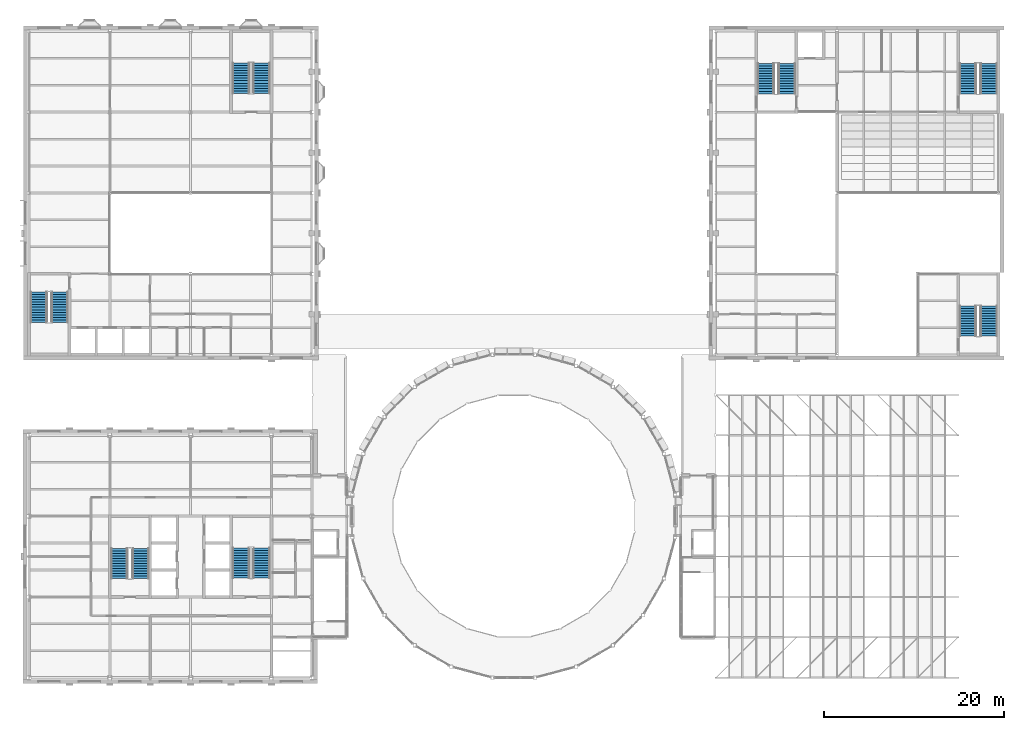
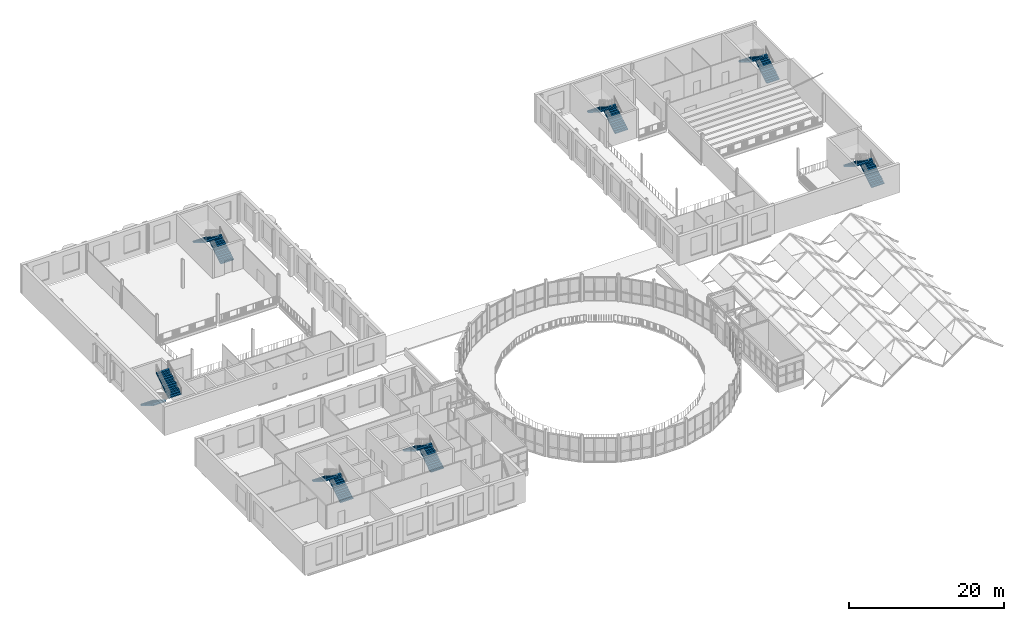
# One storey, part 48 of 74: 14 stair flights, 7 elements without a shape of their own.
"""IFC4 building model written with IfcOpenShell, lengths in metres."""

from ifc_helpers import new_model, si_unit, direction, frame, origin, place, context, subcontext, project, spatial, polyline, outline, extrude, material, layer, layer_set, type_object, element, aggregate, save


model = new_model("IFC4")

# Units and contexts
model_context = context("Model", 3, precision=1e-05, world=origin(), true_north=direction((0.0, 1.0)))
body_context = subcontext(model_context, "Body", "Model", "MODEL_VIEW")
ifc_project = project(units=[si_unit("LENGTHUNIT", "METRE"), si_unit("AREAUNIT", "SQUARE_METRE"), si_unit("VOLUMEUNIT", "CUBIC_METRE"), si_unit("PLANEANGLEUNIT", "RADIAN"), si_unit("MASSUNIT", "GRAM", prefix="KILO")], contexts=[model_context])

# Site, building, storey
site_placement = place(None, origin())
site = spatial("IfcSite", under=ifc_project, at=site_placement, CompositionType="ELEMENT")
building_placement = place(site_placement, origin())
building = spatial("IfcBuilding", under=site, at=building_placement, Name="Hortulan Conservatory and Botanical Research Centre", CompositionType="ELEMENT")
storey_placement = place(building_placement, frame((0.0, 0.0, 6.0)))
storey = spatial("IfcBuildingStorey", under=building, at=storey_placement, Name="L01", CompositionType="ELEMENT", Elevation=6.0)

# Stair, stair flights
ifc_material = material(Name="Concrete N40 (40 MPa, AS 3600)", Category="concrete")
stair_type_1 = type_object("IfcStairType", Name="Concrete Escape Stair 1900", PredefinedType="HALF_TURN_STAIR", material=ifc_material)
stair_1_placement = place(storey_placement, origin())
stair_1 = element("IfcStair", 1, at=stair_1_placement, inside=storey, type_object=stair_type_1, Name="Stair T1 L01", PredefinedType="HALF_TURN_STAIR")
ifc_layer_1 = layer(ifc_material, 0.14990234375)
ifc_layer_set_1 = layer_set([ifc_layer_1], Name="Stair Flight 1900 wide, riser 173")
stair_flight_type_1 = type_object("IfcStairFlightType", Name="Stair Flight 1900 wide, riser 173", PredefinedType="STRAIGHT", material=ifc_layer_set_1)
stair_flight_1_placement = place(storey_placement, frame((12.39990234375, 11.050048828125, 0.0), z_axis=(0.0, 0.0, 1.0), x_axis=(0.0, 1.0, 0.0)))
stair_flight_1 = element("IfcStairFlight", 2, at=stair_flight_1_placement, type_object=stair_flight_type_1, Name="Stair T1 L01 flight 1", NumberOfRisers=13, NumberOfTreads=12, PredefinedType="STRAIGHT", RiserHeight=0.173076923, TreadLength=0.28, context=body_context, shape_type="SweptSolid", body=[
    extrude(outline(polyline([(0.0, 0.0), (0.0, 0.173095703125), (0.280029296875, 0.173095703125), (0.280029296875, 0.34619140625), (0.56005859375, 0.34619140625), (0.56005859375, 0.519287109375), (0.840087890625, 0.519287109375), (0.840087890625, 0.6923828125), (1.1201171875, 0.6923828125), (1.1201171875, 0.865478515625), (1.39990234375, 0.865478515625), (1.39990234375, 1.03857421875), (1.679931640625, 1.03857421875), (1.679931640625, 1.21142578125), (1.9599609375, 1.21142578125), (1.9599609375, 1.384521484375), (2.239990234375, 1.384521484375), (2.239990234375, 1.5576171875), (2.52001953125, 1.5576171875), (2.52001953125, 1.730712890625), (2.800048828125, 1.730712890625), (2.800048828125, 1.90380859375), (3.080078125, 1.90380859375), (3.080078125, 2.076904296875), (3.360107421875, 2.076904296875), (3.360107421875, 2.25), (3.360107421875, 1.900634765625), (0.28515625, 0.0), (0.0, 0.0)])), frame((0.0, 0.949951171875, 0.0), z_axis=(0.0, -1.0, 0.0), x_axis=(1.0, 0.0, 0.0)), (0.0, 0.0, 1.0), 1.89990234375),
])
stair_flight_2_placement = place(storey_placement, frame((10.10009765625, 14.409912109375, 2.25), z_axis=(0.0, 0.0, 1.0), x_axis=(0.0, -1.0, 0.0)))
stair_flight_2 = element("IfcStairFlight", 3, at=stair_flight_2_placement, type_object=stair_flight_type_1, Name="Stair T1 L01 flight 2", NumberOfRisers=13, NumberOfTreads=12, PredefinedType="STRAIGHT", RiserHeight=0.173076923, TreadLength=0.28, context=body_context, shape_type="SweptSolid", body=[
    extrude(outline(polyline([(0.0, 0.0), (0.0, 0.173095703125), (0.280029296875, 0.173095703125), (0.280029296875, 0.34619140625), (0.56005859375, 0.34619140625), (0.56005859375, 0.519287109375), (0.840087890625, 0.519287109375), (0.840087890625, 0.6923828125), (1.1201171875, 0.6923828125), (1.1201171875, 0.865478515625), (1.39990234375, 0.865478515625), (1.39990234375, 1.03857421875), (1.679931640625, 1.03857421875), (1.679931640625, 1.21142578125), (1.9599609375, 1.21142578125), (1.9599609375, 1.384521484375), (2.239990234375, 1.384521484375), (2.239990234375, 1.5576171875), (2.52001953125, 1.5576171875), (2.52001953125, 1.730712890625), (2.800048828125, 1.730712890625), (2.800048828125, 1.90380859375), (3.080078125, 1.90380859375), (3.080078125, 2.076904296875), (3.360107421875, 2.076904296875), (3.360107421875, 2.25), (3.360107421875, 1.900634765625), (0.28515625, 0.0), (0.0, 0.0)])), frame((0.0, 0.949951171875, 0.0), z_axis=(0.0, -1.0, 0.0), x_axis=(1.0, 0.0, 0.0)), (0.0, 0.0, 1.0), 1.89990234375),
])
aggregate(stair_1, [stair_flight_1, stair_flight_2])

stair_2_placement = place(storey_placement, origin())
stair_2 = element("IfcStair", 4, at=stair_2_placement, inside=storey, type_object=stair_type_1, Name="Stair V1 L01", PredefinedType="HALF_TURN_STAIR")
stair_flight_3_placement = place(storey_placement, frame((1.10009765625, 42.949951171875, 0.0), z_axis=(0.0, 0.0, 1.0), x_axis=(0.0, -1.0, 0.0)))
stair_flight_3 = element("IfcStairFlight", 5, at=stair_flight_3_placement, type_object=stair_flight_type_1, Name="Stair V1 L01 flight 1", NumberOfRisers=13, NumberOfTreads=12, PredefinedType="STRAIGHT", RiserHeight=0.173076923, TreadLength=0.28, context=body_context, shape_type="SweptSolid", body=[
    extrude(outline(polyline([(0.0, 0.0), (0.0, 0.173095703125), (0.280029296875, 0.173095703125), (0.280029296875, 0.34619140625), (0.56005859375, 0.34619140625), (0.56005859375, 0.519287109375), (0.840087890625, 0.519287109375), (0.840087890625, 0.6923828125), (1.1201171875, 0.6923828125), (1.1201171875, 0.865478515625), (1.39990234375, 0.865478515625), (1.39990234375, 1.03857421875), (1.679931640625, 1.03857421875), (1.679931640625, 1.21142578125), (1.9599609375, 1.21142578125), (1.9599609375, 1.384521484375), (2.239990234375, 1.384521484375), (2.239990234375, 1.5576171875), (2.52001953125, 1.5576171875), (2.52001953125, 1.730712890625), (2.800048828125, 1.730712890625), (2.800048828125, 1.90380859375), (3.080078125, 1.90380859375), (3.080078125, 2.076904296875), (3.360107421875, 2.076904296875), (3.360107421875, 2.25), (3.360107421875, 1.900634765625), (0.28515625, 0.0), (0.0, 0.0)])), frame((0.0, 0.949951171875, 0.0), z_axis=(0.0, -1.0, 0.0), x_axis=(1.0, 0.0, 0.0)), (0.0, 0.0, 1.0), 1.89990234375),
])
stair_flight_4_placement = place(storey_placement, frame((3.39990234375, 39.590087890625, 2.25), z_axis=(0.0, 0.0, 1.0), x_axis=(0.0, 1.0, 0.0)))
stair_flight_4 = element("IfcStairFlight", 6, at=stair_flight_4_placement, type_object=stair_flight_type_1, Name="Stair V1 L01 flight 2", NumberOfRisers=13, NumberOfTreads=12, PredefinedType="STRAIGHT", RiserHeight=0.173076923, TreadLength=0.28, context=body_context, shape_type="SweptSolid", body=[
    extrude(outline(polyline([(0.0, 0.0), (0.0, 0.173095703125), (0.280029296875, 0.173095703125), (0.280029296875, 0.34619140625), (0.56005859375, 0.34619140625), (0.56005859375, 0.519287109375), (0.840087890625, 0.519287109375), (0.840087890625, 0.6923828125), (1.1201171875, 0.6923828125), (1.1201171875, 0.865478515625), (1.39990234375, 0.865478515625), (1.39990234375, 1.03857421875), (1.679931640625, 1.03857421875), (1.679931640625, 1.21142578125), (1.9599609375, 1.21142578125), (1.9599609375, 1.384521484375), (2.239990234375, 1.384521484375), (2.239990234375, 1.5576171875), (2.52001953125, 1.5576171875), (2.52001953125, 1.730712890625), (2.800048828125, 1.730712890625), (2.800048828125, 1.90380859375), (3.080078125, 1.90380859375), (3.080078125, 2.076904296875), (3.360107421875, 2.076904296875), (3.360107421875, 2.25), (3.360107421875, 1.900634765625), (0.28515625, 0.0), (0.0, 0.0)])), frame((0.0, 0.949951171875, 0.0), z_axis=(0.0, -1.0, 0.0), x_axis=(1.0, 0.0, 0.0)), (0.0, 0.0, 1.0), 1.89990234375),
])
aggregate(stair_2, [stair_flight_3, stair_flight_4])

stair_3_placement = place(storey_placement, origin())
stair_3 = element("IfcStair", 7, at=stair_3_placement, inside=storey, type_object=stair_type_1, Name="Stair A1 L01", PredefinedType="HALF_TURN_STAIR")
stair_flight_5_placement = place(storey_placement, frame((84.39990234375, 65.050048828125, 0.0), z_axis=(0.0, 0.0, 1.0), x_axis=(0.0, 1.0, 0.0)))
stair_flight_5 = element("IfcStairFlight", 8, at=stair_flight_5_placement, type_object=stair_flight_type_1, Name="Stair A1 L01 flight 1", NumberOfRisers=13, NumberOfTreads=12, PredefinedType="STRAIGHT", RiserHeight=0.173076923, TreadLength=0.28, context=body_context, shape_type="SweptSolid", body=[
    extrude(outline(polyline([(0.0, 0.0), (0.0, 0.173095703125), (0.280029296875, 0.173095703125), (0.280029296875, 0.34619140625), (0.56005859375, 0.34619140625), (0.56005859375, 0.519287109375), (0.840087890625, 0.519287109375), (0.840087890625, 0.6923828125), (1.1201171875, 0.6923828125), (1.1201171875, 0.865478515625), (1.39990234375, 0.865478515625), (1.39990234375, 1.03857421875), (1.679931640625, 1.03857421875), (1.679931640625, 1.21142578125), (1.9599609375, 1.21142578125), (1.9599609375, 1.384521484375), (2.239990234375, 1.384521484375), (2.239990234375, 1.5576171875), (2.52001953125, 1.5576171875), (2.52001953125, 1.730712890625), (2.800048828125, 1.730712890625), (2.800048828125, 1.90380859375), (3.080078125, 1.90380859375), (3.080078125, 2.076904296875), (3.360107421875, 2.076904296875), (3.360107421875, 2.25), (3.360107421875, 1.900634765625), (0.28515625, 0.0), (0.0, 0.0)])), frame((0.0, 0.949951171875, 0.0), z_axis=(0.0, -1.0, 0.0), x_axis=(1.0, 0.0, 0.0)), (0.0, 0.0, 1.0), 1.89990234375),
])
stair_flight_6_placement = place(storey_placement, frame((82.10009765625, 68.409912109375, 2.25), z_axis=(0.0, 0.0, 1.0), x_axis=(0.0, -1.0, 0.0)))
stair_flight_6 = element("IfcStairFlight", 9, at=stair_flight_6_placement, type_object=stair_flight_type_1, Name="Stair A1 L01 flight 2", NumberOfRisers=13, NumberOfTreads=12, PredefinedType="STRAIGHT", RiserHeight=0.173076923, TreadLength=0.28, context=body_context, shape_type="SweptSolid", body=[
    extrude(outline(polyline([(0.0, 0.0), (0.0, 0.173095703125), (0.280029296875, 0.173095703125), (0.280029296875, 0.34619140625), (0.56005859375, 0.34619140625), (0.56005859375, 0.519287109375), (0.840087890625, 0.519287109375), (0.840087890625, 0.6923828125), (1.1201171875, 0.6923828125), (1.1201171875, 0.865478515625), (1.39990234375, 0.865478515625), (1.39990234375, 1.03857421875), (1.679931640625, 1.03857421875), (1.679931640625, 1.21142578125), (1.9599609375, 1.21142578125), (1.9599609375, 1.384521484375), (2.239990234375, 1.384521484375), (2.239990234375, 1.5576171875), (2.52001953125, 1.5576171875), (2.52001953125, 1.730712890625), (2.800048828125, 1.730712890625), (2.800048828125, 1.90380859375), (3.080078125, 1.90380859375), (3.080078125, 2.076904296875), (3.360107421875, 2.076904296875), (3.360107421875, 2.25), (3.360107421875, 1.900634765625), (0.28515625, 0.0), (0.0, 0.0)])), frame((0.0, 0.949951171875, 0.0), z_axis=(0.0, -1.0, 0.0), x_axis=(1.0, 0.0, 0.0)), (0.0, 0.0, 1.0), 1.89990234375),
])
aggregate(stair_3, [stair_flight_5, stair_flight_6])

stair_4_placement = place(storey_placement, origin())
stair_4 = element("IfcStair", 10, at=stair_4_placement, inside=storey, type_object=stair_type_1, Name="Stair A2 L01", PredefinedType="HALF_TURN_STAIR")
stair_flight_7_placement = place(storey_placement, frame((106.89990234375, 38.050048828125, 0.0), z_axis=(0.0, 0.0, 1.0), x_axis=(0.0, 1.0, 0.0)))
stair_flight_7 = element("IfcStairFlight", 11, at=stair_flight_7_placement, type_object=stair_flight_type_1, Name="Stair A2 L01 flight 1", NumberOfRisers=13, NumberOfTreads=12, PredefinedType="STRAIGHT", RiserHeight=0.173076923, TreadLength=0.28, context=body_context, shape_type="SweptSolid", body=[
    extrude(outline(polyline([(0.0, 0.0), (0.0, 0.173095703125), (0.280029296875, 0.173095703125), (0.280029296875, 0.34619140625), (0.56005859375, 0.34619140625), (0.56005859375, 0.519287109375), (0.840087890625, 0.519287109375), (0.840087890625, 0.6923828125), (1.1201171875, 0.6923828125), (1.1201171875, 0.865478515625), (1.39990234375, 0.865478515625), (1.39990234375, 1.03857421875), (1.679931640625, 1.03857421875), (1.679931640625, 1.21142578125), (1.9599609375, 1.21142578125), (1.9599609375, 1.384521484375), (2.239990234375, 1.384521484375), (2.239990234375, 1.5576171875), (2.52001953125, 1.5576171875), (2.52001953125, 1.730712890625), (2.800048828125, 1.730712890625), (2.800048828125, 1.90380859375), (3.080078125, 1.90380859375), (3.080078125, 2.076904296875), (3.360107421875, 2.076904296875), (3.360107421875, 2.25), (3.360107421875, 1.900634765625), (0.28515625, 0.0), (0.0, 0.0)])), frame((0.0, 0.949951171875, 0.0), z_axis=(0.0, -1.0, 0.0), x_axis=(1.0, 0.0, 0.0)), (0.0, 0.0, 1.0), 1.89990234375),
])
stair_flight_8_placement = place(storey_placement, frame((104.60009765625, 41.409912109375, 2.25), z_axis=(0.0, 0.0, 1.0), x_axis=(0.0, -1.0, 0.0)))
stair_flight_8 = element("IfcStairFlight", 12, at=stair_flight_8_placement, type_object=stair_flight_type_1, Name="Stair A2 L01 flight 2", NumberOfRisers=13, NumberOfTreads=12, PredefinedType="STRAIGHT", RiserHeight=0.173076923, TreadLength=0.28, context=body_context, shape_type="SweptSolid", body=[
    extrude(outline(polyline([(0.0, 0.0), (0.0, 0.173095703125), (0.280029296875, 0.173095703125), (0.280029296875, 0.34619140625), (0.56005859375, 0.34619140625), (0.56005859375, 0.519287109375), (0.840087890625, 0.519287109375), (0.840087890625, 0.6923828125), (1.1201171875, 0.6923828125), (1.1201171875, 0.865478515625), (1.39990234375, 0.865478515625), (1.39990234375, 1.03857421875), (1.679931640625, 1.03857421875), (1.679931640625, 1.21142578125), (1.9599609375, 1.21142578125), (1.9599609375, 1.384521484375), (2.239990234375, 1.384521484375), (2.239990234375, 1.5576171875), (2.52001953125, 1.5576171875), (2.52001953125, 1.730712890625), (2.800048828125, 1.730712890625), (2.800048828125, 1.90380859375), (3.080078125, 1.90380859375), (3.080078125, 2.076904296875), (3.360107421875, 2.076904296875), (3.360107421875, 2.25), (3.360107421875, 1.900634765625), (0.28515625, 0.0), (0.0, 0.0)])), frame((0.0, 0.949951171875, 0.0), z_axis=(0.0, -1.0, 0.0), x_axis=(1.0, 0.0, 0.0)), (0.0, 0.0, 1.0), 1.89990234375),
])
aggregate(stair_4, [stair_flight_7, stair_flight_8])

stair_5_placement = place(storey_placement, origin())
stair_5 = element("IfcStair", 13, at=stair_5_placement, inside=storey, type_object=stair_type_1, Name="Stair A3 L01", PredefinedType="HALF_TURN_STAIR")
stair_flight_9_placement = place(storey_placement, frame((106.89990234375, 65.050048828125, 0.0), z_axis=(0.0, 0.0, 1.0), x_axis=(0.0, 1.0, 0.0)))
stair_flight_9 = element("IfcStairFlight", 14, at=stair_flight_9_placement, type_object=stair_flight_type_1, Name="Stair A3 L01 flight 1", NumberOfRisers=13, NumberOfTreads=12, PredefinedType="STRAIGHT", RiserHeight=0.173076923, TreadLength=0.28, context=body_context, shape_type="SweptSolid", body=[
    extrude(outline(polyline([(0.0, 0.0), (0.0, 0.173095703125), (0.280029296875, 0.173095703125), (0.280029296875, 0.34619140625), (0.56005859375, 0.34619140625), (0.56005859375, 0.519287109375), (0.840087890625, 0.519287109375), (0.840087890625, 0.6923828125), (1.1201171875, 0.6923828125), (1.1201171875, 0.865478515625), (1.39990234375, 0.865478515625), (1.39990234375, 1.03857421875), (1.679931640625, 1.03857421875), (1.679931640625, 1.21142578125), (1.9599609375, 1.21142578125), (1.9599609375, 1.384521484375), (2.239990234375, 1.384521484375), (2.239990234375, 1.5576171875), (2.52001953125, 1.5576171875), (2.52001953125, 1.730712890625), (2.800048828125, 1.730712890625), (2.800048828125, 1.90380859375), (3.080078125, 1.90380859375), (3.080078125, 2.076904296875), (3.360107421875, 2.076904296875), (3.360107421875, 2.25), (3.360107421875, 1.900634765625), (0.28515625, 0.0), (0.0, 0.0)])), frame((0.0, 0.949951171875, 0.0), z_axis=(0.0, -1.0, 0.0), x_axis=(1.0, 0.0, 0.0)), (0.0, 0.0, 1.0), 1.89990234375),
])
stair_flight_10_placement = place(storey_placement, frame((104.60009765625, 68.409912109375, 2.25), z_axis=(0.0, 0.0, 1.0), x_axis=(0.0, -1.0, 0.0)))
stair_flight_10 = element("IfcStairFlight", 15, at=stair_flight_10_placement, type_object=stair_flight_type_1, Name="Stair A3 L01 flight 2", NumberOfRisers=13, NumberOfTreads=12, PredefinedType="STRAIGHT", RiserHeight=0.173076923, TreadLength=0.28, context=body_context, shape_type="SweptSolid", body=[
    extrude(outline(polyline([(0.0, 0.0), (0.0, 0.173095703125), (0.280029296875, 0.173095703125), (0.280029296875, 0.34619140625), (0.56005859375, 0.34619140625), (0.56005859375, 0.519287109375), (0.840087890625, 0.519287109375), (0.840087890625, 0.6923828125), (1.1201171875, 0.6923828125), (1.1201171875, 0.865478515625), (1.39990234375, 0.865478515625), (1.39990234375, 1.03857421875), (1.679931640625, 1.03857421875), (1.679931640625, 1.21142578125), (1.9599609375, 1.21142578125), (1.9599609375, 1.384521484375), (2.239990234375, 1.384521484375), (2.239990234375, 1.5576171875), (2.52001953125, 1.5576171875), (2.52001953125, 1.730712890625), (2.800048828125, 1.730712890625), (2.800048828125, 1.90380859375), (3.080078125, 1.90380859375), (3.080078125, 2.076904296875), (3.360107421875, 2.076904296875), (3.360107421875, 2.25), (3.360107421875, 1.900634765625), (0.28515625, 0.0), (0.0, 0.0)])), frame((0.0, 0.949951171875, 0.0), z_axis=(0.0, -1.0, 0.0), x_axis=(1.0, 0.0, 0.0)), (0.0, 0.0, 1.0), 1.89990234375),
])
aggregate(stair_5, [stair_flight_9, stair_flight_10])

stair_type_2 = type_object("IfcStairType", Name="Concrete Escape Stair 1950", PredefinedType="HALF_TURN_STAIR", material=ifc_material)
stair_6_placement = place(storey_placement, origin())
stair_6 = element("IfcStair", 16, at=stair_6_placement, inside=storey, type_object=stair_type_2, Name="Stair T2 L01", PredefinedType="HALF_TURN_STAIR")
ifc_layer_2 = layer(ifc_material, 0.14990234375)
ifc_layer_set_2 = layer_set([ifc_layer_2], Name="Stair Flight 1950 wide, riser 173")
stair_flight_type_2 = type_object("IfcStairFlightType", Name="Stair Flight 1950 wide, riser 173", PredefinedType="STRAIGHT", material=ifc_layer_set_2)
stair_flight_11_placement = place(storey_placement, frame((25.875, 11.10009765625, 0.0), z_axis=(0.0, 0.0, 1.0), x_axis=(0.0, 1.0, 0.0)))
stair_flight_11 = element("IfcStairFlight", 17, at=stair_flight_11_placement, type_object=stair_flight_type_2, Name="Stair T2 L01 flight 1", NumberOfRisers=13, NumberOfTreads=12, PredefinedType="STRAIGHT", RiserHeight=0.173076923, TreadLength=0.28, context=body_context, shape_type="SweptSolid", body=[
    extrude(outline(polyline([(0.0, 0.0), (0.0, 0.173095703125), (0.280029296875, 0.173095703125), (0.280029296875, 0.34619140625), (0.56005859375, 0.34619140625), (0.56005859375, 0.519287109375), (0.840087890625, 0.519287109375), (0.840087890625, 0.6923828125), (1.1201171875, 0.6923828125), (1.1201171875, 0.865478515625), (1.39990234375, 0.865478515625), (1.39990234375, 1.03857421875), (1.679931640625, 1.03857421875), (1.679931640625, 1.21142578125), (1.9599609375, 1.21142578125), (1.9599609375, 1.384521484375), (2.239990234375, 1.384521484375), (2.239990234375, 1.5576171875), (2.52001953125, 1.5576171875), (2.52001953125, 1.730712890625), (2.800048828125, 1.730712890625), (2.800048828125, 1.90380859375), (3.080078125, 1.90380859375), (3.080078125, 2.076904296875), (3.360107421875, 2.076904296875), (3.360107421875, 2.25), (3.360107421875, 1.900634765625), (0.28515625, 0.0), (0.0, 0.0)])), frame((0.0, 0.97509765625, 0.0), z_axis=(0.0, -1.0, 0.0), x_axis=(1.0, 0.0, 0.0)), (0.0, 0.0, 1.0), 1.949951171875),
])
stair_flight_12_placement = place(storey_placement, frame((23.625, 14.4599609375, 2.25), z_axis=(0.0, 0.0, 1.0), x_axis=(0.0, -1.0, 0.0)))
stair_flight_12 = element("IfcStairFlight", 18, at=stair_flight_12_placement, type_object=stair_flight_type_2, Name="Stair T2 L01 flight 2", NumberOfRisers=13, NumberOfTreads=12, PredefinedType="STRAIGHT", RiserHeight=0.173076923, TreadLength=0.28, context=body_context, shape_type="SweptSolid", body=[
    extrude(outline(polyline([(0.0, 0.0), (0.0, 0.173095703125), (0.280029296875, 0.173095703125), (0.280029296875, 0.34619140625), (0.56005859375, 0.34619140625), (0.56005859375, 0.519287109375), (0.840087890625, 0.519287109375), (0.840087890625, 0.6923828125), (1.1201171875, 0.6923828125), (1.1201171875, 0.865478515625), (1.39990234375, 0.865478515625), (1.39990234375, 1.03857421875), (1.679931640625, 1.03857421875), (1.679931640625, 1.21142578125), (1.9599609375, 1.21142578125), (1.9599609375, 1.384521484375), (2.239990234375, 1.384521484375), (2.239990234375, 1.5576171875), (2.52001953125, 1.5576171875), (2.52001953125, 1.730712890625), (2.800048828125, 1.730712890625), (2.800048828125, 1.90380859375), (3.080078125, 1.90380859375), (3.080078125, 2.076904296875), (3.360107421875, 2.076904296875), (3.360107421875, 2.25), (3.360107421875, 1.900634765625), (0.28515625, 0.0), (0.0, 0.0)])), frame((0.0, 0.97509765625, 0.0), z_axis=(0.0, -1.0, 0.0), x_axis=(1.0, 0.0, 0.0)), (0.0, 0.0, 1.0), 1.949951171875),
])
aggregate(stair_6, [stair_flight_11, stair_flight_12])

stair_7_placement = place(storey_placement, origin())
stair_7 = element("IfcStair", 19, at=stair_7_placement, inside=storey, type_object=stair_type_2, Name="Stair V2 L01", PredefinedType="HALF_TURN_STAIR")
stair_flight_13_placement = place(storey_placement, frame((25.875, 65.10009765625, 0.0), z_axis=(0.0, 0.0, 1.0), x_axis=(0.0, 1.0, 0.0)))
stair_flight_13 = element("IfcStairFlight", 20, at=stair_flight_13_placement, type_object=stair_flight_type_2, Name="Stair V2 L01 flight 1", NumberOfRisers=13, NumberOfTreads=12, PredefinedType="STRAIGHT", RiserHeight=0.173076923, TreadLength=0.28, context=body_context, shape_type="SweptSolid", body=[
    extrude(outline(polyline([(0.0, 0.0), (0.0, 0.173095703125), (0.280029296875, 0.173095703125), (0.280029296875, 0.34619140625), (0.56005859375, 0.34619140625), (0.56005859375, 0.519287109375), (0.840087890625, 0.519287109375), (0.840087890625, 0.6923828125), (1.1201171875, 0.6923828125), (1.1201171875, 0.865478515625), (1.39990234375, 0.865478515625), (1.39990234375, 1.03857421875), (1.679931640625, 1.03857421875), (1.679931640625, 1.21142578125), (1.9599609375, 1.21142578125), (1.9599609375, 1.384521484375), (2.239990234375, 1.384521484375), (2.239990234375, 1.5576171875), (2.52001953125, 1.5576171875), (2.52001953125, 1.730712890625), (2.800048828125, 1.730712890625), (2.800048828125, 1.90380859375), (3.080078125, 1.90380859375), (3.080078125, 2.076904296875), (3.360107421875, 2.076904296875), (3.360107421875, 2.25), (3.360107421875, 1.900634765625), (0.28515625, 0.0), (0.0, 0.0)])), frame((0.0, 0.97509765625, 0.0), z_axis=(0.0, -1.0, 0.0), x_axis=(1.0, 0.0, 0.0)), (0.0, 0.0, 1.0), 1.949951171875),
])
stair_flight_14_placement = place(storey_placement, frame((23.625, 68.4599609375, 2.25), z_axis=(0.0, 0.0, 1.0), x_axis=(0.0, -1.0, 0.0)))
stair_flight_14 = element("IfcStairFlight", 21, at=stair_flight_14_placement, type_object=stair_flight_type_2, Name="Stair V2 L01 flight 2", NumberOfRisers=13, NumberOfTreads=12, PredefinedType="STRAIGHT", RiserHeight=0.173076923, TreadLength=0.28, context=body_context, shape_type="SweptSolid", body=[
    extrude(outline(polyline([(0.0, 0.0), (0.0, 0.173095703125), (0.280029296875, 0.173095703125), (0.280029296875, 0.34619140625), (0.56005859375, 0.34619140625), (0.56005859375, 0.519287109375), (0.840087890625, 0.519287109375), (0.840087890625, 0.6923828125), (1.1201171875, 0.6923828125), (1.1201171875, 0.865478515625), (1.39990234375, 0.865478515625), (1.39990234375, 1.03857421875), (1.679931640625, 1.03857421875), (1.679931640625, 1.21142578125), (1.9599609375, 1.21142578125), (1.9599609375, 1.384521484375), (2.239990234375, 1.384521484375), (2.239990234375, 1.5576171875), (2.52001953125, 1.5576171875), (2.52001953125, 1.730712890625), (2.800048828125, 1.730712890625), (2.800048828125, 1.90380859375), (3.080078125, 1.90380859375), (3.080078125, 2.076904296875), (3.360107421875, 2.076904296875), (3.360107421875, 2.25), (3.360107421875, 1.900634765625), (0.28515625, 0.0), (0.0, 0.0)])), frame((0.0, 0.97509765625, 0.0), z_axis=(0.0, -1.0, 0.0), x_axis=(1.0, 0.0, 0.0)), (0.0, 0.0, 1.0), 1.949951171875),
])
aggregate(stair_7, [stair_flight_13, stair_flight_14])

save(model, "model.ifc")
